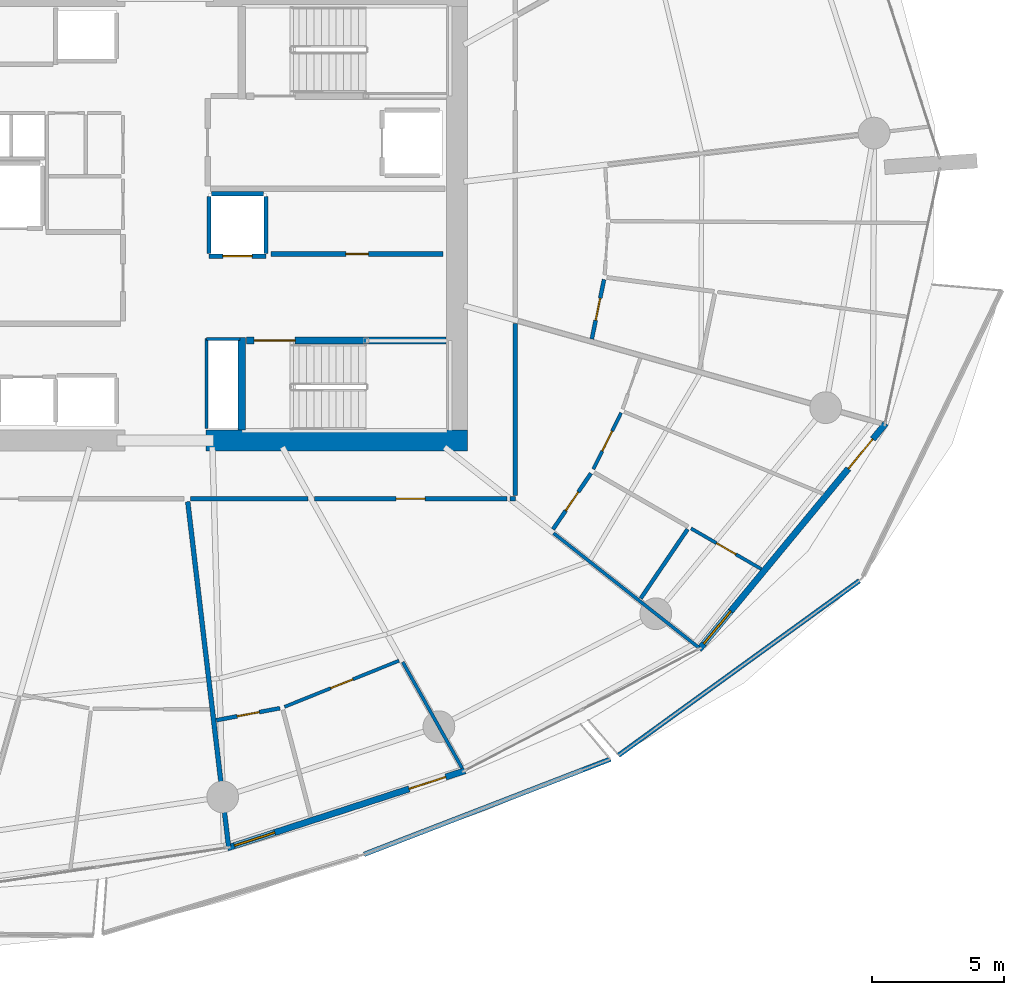
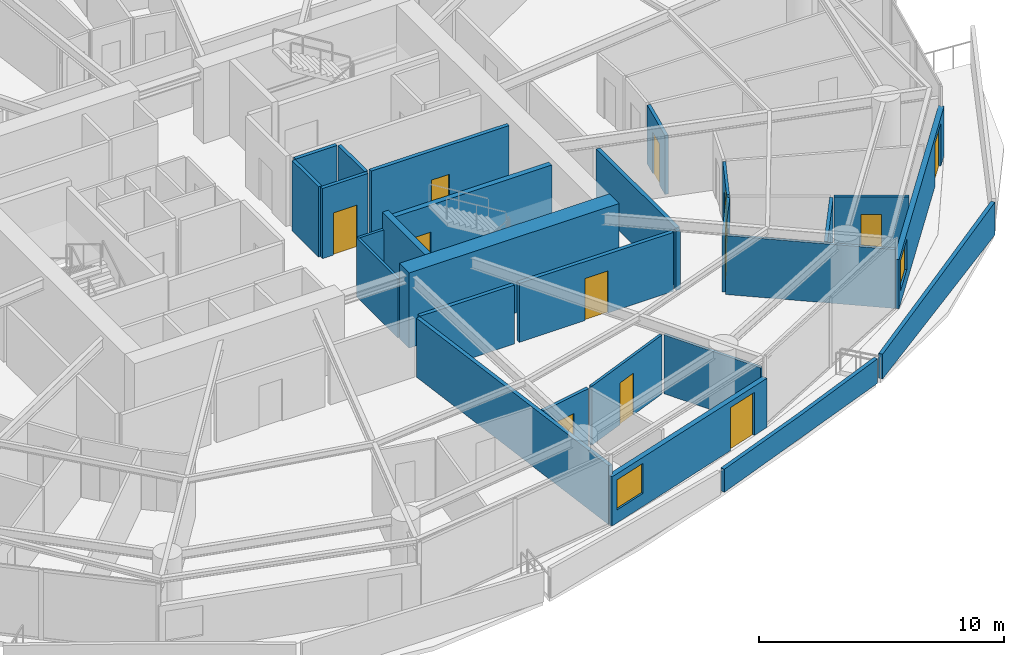
# One storey, part 13 of 23: 28 walls, 12 doors, 2 windows, 14 openings.
"""IFC4 building model written with IfcOpenShell, lengths in metres."""

from ifc_helpers import new_model, si_unit, direction, frame, frame_2d, origin, place, context, subcontext, project, spatial, polyline, rectangle, outline, extrude, material, layer, layer_set, type_object, element, fill, save


model = new_model("IFC4")

# Units and contexts
model_context = context("Model", 3, precision=1e-05, world=origin(), true_north=direction((0.0, 1.0)))
body_context = subcontext(model_context, "Body", "Model", "MODEL_VIEW")
ifc_project = project(units=[si_unit("LENGTHUNIT", "METRE"), si_unit("AREAUNIT", "SQUARE_METRE"), si_unit("VOLUMEUNIT", "CUBIC_METRE"), si_unit("PLANEANGLEUNIT", "RADIAN"), si_unit("MASSUNIT", "GRAM", prefix="KILO")], contexts=[model_context])

# Site, building, storey
site_placement = place(None, origin())
site = spatial("IfcSite", under=ifc_project, at=site_placement, CompositionType="ELEMENT")
building_placement = place(site_placement, origin())
building = spatial("IfcBuilding", under=site, at=building_placement, Name="Kazma Halo Residences", CompositionType="ELEMENT")
storey_placement = place(building_placement, frame((0.0, 0.0, 86.39990234375)))
storey = spatial("IfcBuildingStorey", under=building, at=storey_placement, Name="L21", CompositionType="ELEMENT", Elevation=86.39990234375)

# Walls
ifc_material_1 = material(Name="White Concrete C50/60 Balustrade", Category="concrete")
ifc_layer_1 = layer(ifc_material_1, 0.179931640625)
ifc_layer_set_1 = layer_set([ifc_layer_1], Name="White Concrete C50/60 Balustrade")
wall_type_1 = type_object("IfcWallType", Name="WL-BAL-WAVE-180", PredefinedType="PARAPET", material=ifc_layer_set_1)
wall_1_placement = place(storey_placement, frame((55.936767578125, 17.960693359375, 0.0), z_axis=(0.0, 0.0, 1.0), x_axis=(0.93269770772, 0.360659099446, 0.0)))
element("IfcWall", 1, at=wall_1_placement, inside=storey, type_object=wall_type_1, Name="L21 white wave balustrade wall SSE.2", PredefinedType="PARAPET", context=body_context, shape_type="SweptSolid", body=[
    extrude(outline(polyline([(0.0, 0.0), (9.97802734375, 0.0), (9.977783203125, 1.22412109375), (4.989013671875, 1.127197265625), (0.0, 1.148193359375), (0.0, 0.0)])), frame((0.0, 0.08984375, 0.0), z_axis=(0.0, -1.0, 0.0), x_axis=(1.0, 0.0, 0.0)), (0.0, 0.0, 1.0), 0.179931640625),
])
wall_2_placement = place(storey_placement, frame((65.5498046875, 21.704345703125, 0.0), z_axis=(0.0, 0.0, 1.0), x_axis=(0.809764200103, 0.58675543477, 0.0)))
element("IfcWall", 2, at=wall_2_placement, inside=storey, type_object=wall_type_1, Name="L21 white wave balustrade wall SE.1", PredefinedType="PARAPET", context=body_context, shape_type="SweptSolid", body=[
    extrude(outline(polyline([(0.0, 0.0), (11.240966796875, 0.0), (11.2412109375, 1.632080078125), (5.62060546875, 1.418212890625), (0.0, 1.233154296875), (0.0, 0.0)])), frame((0.0, 0.08984375, 0.0), z_axis=(0.0, -1.0, 0.0), x_axis=(1.0, 0.0, 0.0)), (0.0, 0.0, 1.0), 0.179931640625),
])
ifc_material_2 = material(Name="Concrete C80/95", Category="concrete")
ifc_layer_2 = layer(ifc_material_2, 0.800048828125)
ifc_layer_set_2 = layer_set([ifc_layer_2], Name="Concrete C80/95")
wall_type_2 = type_object("IfcWallType", Name="WL-CORE-800", PredefinedType="SHEAR", material=ifc_layer_set_2)
wall_3_placement = place(storey_placement, frame((49.949951171875, 33.60009765625, 0.0), z_axis=(0.0, 0.0, 1.0), x_axis=(1.0, 0.0, 0.0)))
element("IfcWall", 3, at=wall_3_placement, inside=storey, type_object=wall_type_2, Name="L21 central core shear wall SE", PredefinedType="SHEAR", context=body_context, shape_type="SweptSolid", body=[
    extrude(rectangle(XDim=9.900146484375, YDim=0.800048828125, at=frame_2d((4.9501953125, 0.0))), origin(), (0.0, 0.0, 1.0), 3.75),
])
ifc_material_3 = material(Name="Concrete C60/75", Category="concrete")
ifc_layer_3 = layer(ifc_material_3, 0.280029296875)
ifc_layer_set_3 = layer_set([ifc_layer_3], Name="Concrete C60/75")
wall_type_3 = type_object("IfcWallType", Name="WL-CORE-ST-280", PredefinedType="SHEAR", material=ifc_layer_set_3)
wall_4_placement = place(storey_placement, frame((51.31005859375, 34.0, 0.0), z_axis=(0.0, 0.0, 1.0), x_axis=(0.0, 1.0, 0.0)))
element("IfcWall", 4, at=wall_4_placement, inside=storey, type_object=wall_type_3, Name="L21 stairwell bearing wall ST03-W", PredefinedType="SHEAR", context=body_context, shape_type="SweptSolid", body=[
    extrude(rectangle(XDim=3.5, YDim=0.280029296875, at=frame_2d((1.75, 0.0))), origin(), (0.0, 0.0, 1.0), 3.75),
])
ifc_material_4 = material(Name="Acoustic Twin-Stud Gypsum")
ifc_layer_4 = layer(ifc_material_4, 0.179931640625)
ifc_layer_set_4 = layer_set([ifc_layer_4], Name="Acoustic Twin-Stud Gypsum")
wall_type_4 = type_object("IfcWallType", Name="WL-DEM-180", PredefinedType="PARTITIONING", material=ifc_layer_set_4)
wall_5_placement = place(storey_placement, frame((49.267578125, 31.290771484375, 0.0), z_axis=(0.0, 0.0, 1.0), x_axis=(0.117532311618, -0.993069058891, 0.0)))
element("IfcWall", 5, at=wall_5_placement, inside=storey, type_object=wall_type_4, Name="L21 apartment demising radial wall 11", PredefinedType="PARTITIONING", context=body_context, shape_type="SweptSolid", body=[
    extrude(rectangle(XDim=13.138427734375, YDim=0.179931640625, at=frame_2d((6.5693359375, 0.0))), origin(), (0.0, 0.0, 1.0), 2.940185546875),
])

# Wall, opening, door
wall_6_placement = place(storey_placement, frame((54.056396484375, 31.39990234375, 0.0), z_axis=(0.0, 0.0, 1.0), x_axis=(1.0, 0.0, 0.0)))
wall_6 = element("IfcWall", 6, at=wall_6_placement, inside=storey, type_object=wall_type_4, Name="L21 Apartment 3 entrance corridor wall", PredefinedType="PARTITIONING", context=body_context, shape_type="SweptSolid", body=[
    extrude(rectangle(XDim=7.26953125, YDim=0.179931640625, at=frame_2d((3.634765625, 0.0))), origin(), (0.0, 0.0, 1.0), 2.940185546875),
])
opening_1_placement = place(wall_6_placement, frame((3.0849609375, 0.0, 0.0)))
opening_1 = element("IfcOpeningElement", 7, at=opening_1_placement, cuts=wall_6, Name="Opening DA-1100", PredefinedType="OPENING", context=body_context, shape_type="SweptSolid", body=[
    extrude(rectangle(XDim=1.10009765625, YDim=2.10009765625, at=frame_2d((0.550048828125, 1.050048828125))), frame((0.0, 0.099853515625, 0.0), z_axis=(0.0, -1.0, 0.0), x_axis=(1.0, 0.0, 0.0)), (0.0, 0.0, 1.0), 0.199951171875),
])
ifc_material_5 = material(Name="Acoustic Walnut Fire Leaf")
door_type_1 = type_object("IfcDoorType", Name="DR-FD60-1100", OperationType="NOTDEFINED", PredefinedType="DOOR", material=ifc_material_5)
door_1_placement = place(opening_1_placement, origin())
door_1 = element("IfcDoor", 8, at=door_1_placement, inside=storey, type_object=door_type_1, Name="L21 Apartment 3 entrance fire door", OperationType="SINGLE_SWING_LEFT", OverallHeight=2.10009765625, OverallWidth=1.10009765625, PredefinedType="DOOR", context=body_context, shape_type="SweptSolid", body=[
    extrude(rectangle(XDim=1.10009765625, YDim=2.10009765625, at=frame_2d((0.550048828125, 1.050048828125))), frame((0.0, 0.02490234375, 0.0), z_axis=(0.0, -1.0, 0.0), x_axis=(1.0, 0.0, 0.0)), (0.0, 0.0, 1.0), 0.050048828125),
])
fill(opening_1, door_1)

# Walls
wall_7_placement = place(storey_placement, frame((49.37451171875, 31.39990234375, 0.0), z_axis=(0.0, 0.0, 1.0), x_axis=(1.0, 0.0, 0.0)))
element("IfcWall", 9, at=wall_7_placement, inside=storey, type_object=wall_type_4, Name="L21 Apartment 3 inner wall 11", PredefinedType="PARTITIONING", context=body_context, shape_type="SweptSolid", body=[
    extrude(rectangle(XDim=4.44189453125, YDim=0.179931640625, at=frame_2d((2.220947265625, 0.0))), origin(), (0.0, 0.0, 1.0), 2.940185546875),
])
wall_8_placement = place(storey_placement, frame((61.446044921875, 31.39990234375, 0.0), z_axis=(0.0, 0.0, 1.0), x_axis=(1.0, 0.0, 0.0)))
element("IfcWall", 10, at=wall_8_placement, inside=storey, type_object=wall_type_4, Name="L21 Apartment 3 inner wall 13", PredefinedType="PARTITIONING", context=body_context, shape_type="SweptSolid", body=[
    extrude(rectangle(XDim=0.203857421875, YDim=0.179931640625, at=frame_2d((0.10205078125, 0.0))), origin(), (0.0, 0.0, 1.0), 2.940185546875),
])
wall_9_placement = place(storey_placement, frame((61.64990234375, 31.52001953125, 0.0), z_axis=(0.0, 0.0, 1.0), x_axis=(0.0, 1.0, 0.0)))
element("IfcWall", 11, at=wall_9_placement, inside=storey, type_object=wall_type_4, Name="L21 Apartment 3 inner wall 13", PredefinedType="PARTITIONING", context=body_context, shape_type="SweptSolid", body=[
    extrude(rectangle(XDim=6.51025390625, YDim=0.179931640625, at=frame_2d((3.255126953125, 0.0))), origin(), (0.0, 0.0, 1.0), 2.940185546875),
])

# Wall, openings, door, window
ifc_material_6 = material(Name="Insulated Pale-Metal Composite Wall")
ifc_layer_5 = layer(ifc_material_6, 0.239990234375)
ifc_layer_set_5 = layer_set([ifc_layer_5], Name="Insulated Pale-Metal Composite Wall")
wall_type_5 = type_object("IfcWallType", Name="WL-EXT-HOST-240", PredefinedType="SOLIDWALL", material=ifc_layer_set_5)
wall_10_placement = place(storey_placement, frame((50.76708984375, 18.202880859375, 0.0), z_axis=(0.0, 0.0, 1.0), x_axis=(0.951052494852, 0.30902937083, 0.0)))
wall_10 = element("IfcWall", 12, at=wall_10_placement, inside=storey, type_object=wall_type_5, Name="L21 exterior terrace-access wall B12", PredefinedType="SOLIDWALL", context=body_context, shape_type="SweptSolid", body=[
    extrude(rectangle(XDim=9.44384765625, YDim=0.239990234375, at=frame_2d((4.721923828125, 0.0))), origin(), (0.0, 0.0, 1.0), 2.4501953125),
])
opening_2_placement = place(wall_10_placement, frame((7.223876953125, 0.0, 0.0)))
opening_2 = element("IfcOpeningElement", 13, at=opening_2_placement, cuts=wall_10, Name="Opening DTR-1600", PredefinedType="OPENING", context=body_context, shape_type="SweptSolid", body=[
    extrude(rectangle(XDim=1.449951171875, YDim=2.14990234375, at=frame_2d((0.72509765625, 1.074951171875))), frame((0.0, 0.1298828125, 0.0), z_axis=(0.0, -1.0, 0.0), x_axis=(1.0, 0.0, 0.0)), (0.0, 0.0, 1.0), 0.260009765625),
])
opening_3_placement = place(wall_10_placement, frame((0.280029296875, 0.0, 0.64990234375)))
opening_3 = element("IfcOpeningElement", 14, at=opening_3_placement, cuts=wall_10, Name="Opening W-1800", PredefinedType="OPENING", context=body_context, shape_type="SweptSolid", body=[
    extrude(rectangle(XDim=1.60009765625, YDim=1.5, at=frame_2d((0.800048828125, 0.75))), frame((0.0, 0.1298828125, 0.0), z_axis=(0.0, -1.0, 0.0), x_axis=(1.0, 0.0, 0.0)), (0.0, 0.0, 1.0), 0.260009765625),
])
ifc_material_7 = material(Name="Aluminium AW-6063 T6 Double-Glazed Terrace Door", Category="aluminium")
door_type_2 = type_object("IfcDoorType", Name="DR-EXT-TERR-1600", OperationType="NOTDEFINED", PredefinedType="DOOR", material=ifc_material_7)
door_2_placement = place(opening_2_placement, origin())
door_2 = element("IfcDoor", 15, at=door_2_placement, inside=storey, type_object=door_type_2, Name="L21 B12 balcony terrace door", OperationType="DOUBLE_DOOR_SLIDING", OverallHeight=2.14990234375, OverallWidth=1.449951171875, PredefinedType="DOOR", context=body_context, shape_type="SweptSolid", body=[
    extrude(rectangle(XDim=1.449951171875, YDim=2.14990234375, at=frame_2d((0.72509765625, 1.074951171875))), frame((0.0, 0.02490234375, 0.0), z_axis=(0.0, -1.0, 0.0), x_axis=(1.0, 0.0, 0.0)), (0.0, 0.0, 1.0), 0.050048828125),
])
fill(opening_2, door_2)
ifc_material_8 = material(Name="Clear Triple-Silver Low-E Glass in Aluminium AW-6063 T6 Frame", Category="aluminium")
window_type = type_object("IfcWindowType", Name="WIN-RES-1800", PartitioningType="DOUBLE_PANEL_VERTICAL", PredefinedType="WINDOW", material=ifc_material_8)
window_1_placement = place(opening_3_placement, origin())
window_1 = element("IfcWindow", 16, at=window_1_placement, inside=storey, type_object=window_type, Name="L21 B12 apartment window", OverallHeight=1.5, OverallWidth=1.60009765625, PartitioningType="SINGLE_PANEL", PredefinedType="WINDOW", context=body_context, shape_type="SweptSolid", body=[
    extrude(rectangle(XDim=1.60009765625, YDim=1.5, at=frame_2d((0.800048828125, 0.75))), frame((0.0, 0.030029296875, 0.0), z_axis=(0.0, -1.0, 0.0), x_axis=(1.0, 0.0, 0.0)), (0.0, 0.0, 1.0), 0.06005859375),
])
fill(opening_3, window_1)

wall_11_placement = place(storey_placement, frame((68.593017578125, 25.7021484375, 0.0), z_axis=(0.0, 0.0, 1.0), x_axis=(0.636704975, 0.771107498868, 0.0)))
wall_11 = element("IfcWall", 17, at=wall_11_placement, inside=storey, type_object=wall_type_5, Name="L21 exterior terrace-access wall B14", PredefinedType="SOLIDWALL", context=body_context, shape_type="SweptSolid", body=[
    extrude(rectangle(XDim=11.084228515625, YDim=0.239990234375, at=frame_2d((5.5419921875, 0.0))), origin(), (0.0, 0.0, 1.0), 2.4501953125),
])
opening_4_placement = place(wall_11_placement, frame((8.8642578125, 0.0, 0.0)))
opening_4 = element("IfcOpeningElement", 18, at=opening_4_placement, cuts=wall_11, Name="Opening DTR-1600", PredefinedType="OPENING", context=body_context, shape_type="SweptSolid", body=[
    extrude(rectangle(XDim=1.449951171875, YDim=2.14990234375, at=frame_2d((0.72509765625, 1.074951171875))), frame((0.0, 0.1298828125, 0.0), z_axis=(0.0, -1.0, 0.0), x_axis=(1.0, 0.0, 0.0)), (0.0, 0.0, 1.0), 0.260009765625),
])
opening_5_placement = place(wall_11_placement, frame((0.280029296875, 0.0, 0.64990234375)))
opening_5 = element("IfcOpeningElement", 19, at=opening_5_placement, cuts=wall_11, Name="Opening W-1800", PredefinedType="OPENING", context=body_context, shape_type="SweptSolid", body=[
    extrude(rectangle(XDim=1.60009765625, YDim=1.5, at=frame_2d((0.800048828125, 0.75))), frame((0.0, 0.1298828125, 0.0), z_axis=(0.0, -1.0, 0.0), x_axis=(1.0, 0.0, 0.0)), (0.0, 0.0, 1.0), 0.260009765625),
])
door_3_placement = place(opening_4_placement, origin())
door_3 = element("IfcDoor", 20, at=door_3_placement, inside=storey, type_object=door_type_2, Name="L21 B14 balcony terrace door", OperationType="DOUBLE_DOOR_SLIDING", OverallHeight=2.14990234375, OverallWidth=1.449951171875, PredefinedType="DOOR", context=body_context, shape_type="SweptSolid", body=[
    extrude(rectangle(XDim=1.449951171875, YDim=2.14990234375, at=frame_2d((0.72509765625, 1.074951171875))), frame((0.0, 0.02490234375, 0.0), z_axis=(0.0, -1.0, 0.0), x_axis=(1.0, 0.0, 0.0)), (0.0, 0.0, 1.0), 0.050048828125),
])
fill(opening_4, door_3)
window_2_placement = place(opening_5_placement, origin())
window_2 = element("IfcWindow", 21, at=window_2_placement, inside=storey, type_object=window_type, Name="L21 B14 apartment window", OverallHeight=1.5, OverallWidth=1.60009765625, PartitioningType="SINGLE_PANEL", PredefinedType="WINDOW", context=body_context, shape_type="SweptSolid", body=[
    extrude(rectangle(XDim=1.60009765625, YDim=1.5, at=frame_2d((0.800048828125, 0.75))), frame((0.0, 0.030029296875, 0.0), z_axis=(0.0, -1.0, 0.0), x_axis=(1.0, 0.0, 0.0)), (0.0, 0.0, 1.0), 0.06005859375),
])
fill(opening_5, window_2)

# Wall, opening, door
ifc_material_9 = material(Name="Fire-Rated Blockwork Masonry", Category="masonry")
ifc_layer_6 = layer(ifc_material_9, 0.199951171875)
ifc_layer_set_6 = layer_set([ifc_layer_6], Name="Fire-Rated Blockwork Masonry")
wall_type_6 = type_object("IfcWallType", Name="WL-FLB-200", PredefinedType="PARTITIONING", material=ifc_layer_set_6)
wall_12_placement = place(storey_placement, frame((52.22998046875, 40.570068359375, 0.0), z_axis=(0.0, 0.0, 1.0), x_axis=(-1.0, 0.0, 0.0)))
wall_12 = element("IfcWall", 22, at=wall_12_placement, inside=storey, type_object=wall_type_6, Name="L21 lift shaft SV-01 front wall", PredefinedType="PARTITIONING", context=body_context, shape_type="SweptSolid", body=[
    extrude(rectangle(XDim=2.159912109375, YDim=0.159912109375, at=frame_2d((1.080078125, 0.0))), origin(), (0.0, 0.0, 1.0), 3.5),
])
opening_6_placement = place(wall_12_placement, frame((0.530029296875, 0.0, 0.0)))
opening_6 = element("IfcOpeningElement", 23, at=opening_6_placement, cuts=wall_12, Name="Opening LD-SV-01", PredefinedType="OPENING", context=body_context, shape_type="SweptSolid", body=[
    extrude(rectangle(XDim=1.10009765625, YDim=2.10009765625, at=frame_2d((0.550048828125, 1.050048828125))), frame((0.0, 0.08984375, 0.0), z_axis=(0.0, -1.0, 0.0), x_axis=(1.0, 0.0, 0.0)), (0.0, 0.0, 1.0), 0.179931640625),
])
ifc_material_10 = material(Name="Stainless Steel Fire-Rated", Category="steel")
door_type_3 = type_object("IfcDoorType", Name="DR-LIFT-SLD-1100", OperationType="DOUBLE_DOOR_SLIDING", PredefinedType="DOOR", material=ifc_material_10)
door_4_placement = place(opening_6_placement, origin())
door_4 = element("IfcDoor", 24, at=door_4_placement, inside=storey, type_object=door_type_3, Name="L21 lift SV-01 sliding landing door", OperationType="DOUBLE_DOOR_SLIDING", OverallHeight=2.10009765625, OverallWidth=1.10009765625, PredefinedType="DOOR", context=body_context, shape_type="SweptSolid", body=[
    extrude(rectangle(XDim=1.10009765625, YDim=2.10009765625, at=frame_2d((0.550048828125, 1.050048828125))), frame((0.0, 0.02490234375, 0.0), z_axis=(0.0, -1.0, 0.0), x_axis=(1.0, 0.0, 0.0)), (0.0, 0.0, 1.0), 0.050048828125),
])
fill(opening_6, door_4)

# Walls
for number, where, z_axis, x_axis, name in (
    (25, (52.22998046875, 40.669921875, 0.0), (0.0, 0.0, 1.0), (0.0, 1.0, 0.0), "L21 lift shaft SV-01 side wall E"),
    (26, (50.070068359375, 40.669921875, 0.0), (0.0, 0.0, 1.0), (0.0, 1.0, 0.0), "L21 lift shaft SV-01 side wall W"),
):
    element("IfcWall", number, at=place(storey_placement, frame(where, z_axis=z_axis, x_axis=x_axis)), inside=storey, type_object=wall_type_6, Name=name, PredefinedType="PARTITIONING", context=body_context, shape_type="SweptSolid", body=[
        extrude(rectangle(XDim=2.16015625, YDim=0.159912109375, at=frame_2d((1.080078125, 0.0))), origin(), (0.0, 0.0, 1.0), 3.5),
    ])
wall_13_placement = place(storey_placement, frame((50.169921875, 42.929931640625, 0.0), z_axis=(0.0, 0.0, 1.0), x_axis=(1.0, 0.0, 0.0)))
element("IfcWall", 27, at=wall_13_placement, inside=storey, type_object=wall_type_6, Name="L21 lift shaft SV-01 side wall N", PredefinedType="PARTITIONING", context=body_context, shape_type="SweptSolid", body=[
    extrude(rectangle(XDim=1.9599609375, YDim=0.159912109375, at=frame_2d((0.97998046875, 0.0))), origin(), (0.0, 0.0, 1.0), 3.5),
])

# Wall, opening, door
wall_14_placement = place(storey_placement, frame((52.419921875, 40.64990234375, 0.0), z_axis=(0.0, 0.0, 1.0), x_axis=(1.0, 0.0, 0.0)))
wall_14 = element("IfcWall", 28, at=wall_14_placement, inside=storey, type_object=wall_type_6, Name="L21 core east reserve wall", PredefinedType="PARTITIONING", context=body_context, shape_type="SweptSolid", body=[
    extrude(rectangle(XDim=6.5, YDim=0.179931640625, at=frame_2d((3.25, 0.0))), origin(), (0.0, 0.0, 1.0), 3.5),
])
opening_7_placement = place(wall_14_placement, frame((2.824951171875, 0.0, 0.0)))
opening_7 = element("IfcOpeningElement", 29, at=opening_7_placement, cuts=wall_14, Name="Opening DS-850", PredefinedType="OPENING", context=body_context, shape_type="SweptSolid", body=[
    extrude(rectangle(XDim=0.85009765625, YDim=2.06005859375, at=frame_2d((0.425048828125, 1.030029296875))), frame((0.0, 0.099853515625, 0.0), z_axis=(0.0, -1.0, 0.0), x_axis=(1.0, 0.0, 0.0)), (0.0, 0.0, 1.0), 0.199951171875),
])
ifc_material_11 = material(Name="Painted Steel Access Leaf", Category="steel")
door_type_4 = type_object("IfcDoorType", Name="DR-SVC-850", OperationType="NOTDEFINED", PredefinedType="DOOR", material=ifc_material_11)
door_5_placement = place(opening_7_placement, origin())
door_5 = element("IfcDoor", 30, at=door_5_placement, inside=storey, type_object=door_type_4, Name="L21 core east reserve door", OperationType="SINGLE_SWING_RIGHT", OverallHeight=2.06005859375, OverallWidth=0.85009765625, PredefinedType="DOOR", context=body_context, shape_type="SweptSolid", body=[
    extrude(rectangle(XDim=0.85009765625, YDim=2.06005859375, at=frame_2d((0.425048828125, 1.030029296875))), frame((0.0, 0.02490234375, 0.0), z_axis=(0.0, -1.0, 0.0), x_axis=(1.0, 0.0, 0.0)), (0.0, 0.0, 1.0), 0.050048828125),
])
fill(opening_7, door_5)

# Walls
ifc_material_12 = material(Name="Gypsum Plasterboard Partition")
ifc_layer_7 = layer(ifc_material_12, 0.125)
ifc_layer_set_7 = layer_set([ifc_layer_7], Name="Gypsum Plasterboard Partition")
wall_type_7 = type_object("IfcWallType", Name="WL-PART-125", PredefinedType="PARTITIONING", material=ifc_layer_set_7)
wall_15_placement = place(storey_placement, frame((49.97998046875, 34.06005859375, 0.0), z_axis=(0.0, 0.0, 1.0), x_axis=(0.0, 1.0, 0.0)))
element("IfcWall", 31, at=wall_15_placement, inside=storey, type_object=wall_type_7, Name="L21 standpipe riser wall", PredefinedType="PARTITIONING", context=body_context, shape_type="SweptSolid", body=[
    extrude(rectangle(XDim=3.39990234375, YDim=0.125, at=frame_2d((1.699951171875, 0.0))), origin(), (0.0, 0.0, 1.0), 2.940185546875),
])
wall_16_placement = place(storey_placement, frame((49.97998046875, 37.43994140625, 0.0), z_axis=(0.0, 0.0, 1.0), x_axis=(1.0, 0.0, 0.0)))
element("IfcWall", 32, at=wall_16_placement, inside=storey, type_object=wall_type_7, Name="L21 standpipe riser north wall", PredefinedType="PARTITIONING", context=body_context, shape_type="SweptSolid", body=[
    extrude(rectangle(XDim=1.260009765625, YDim=0.125, at=frame_2d((0.6298828125, 0.0))), origin(), (0.0, 0.0, 1.0), 2.940185546875),
])
wall_17_placement = place(storey_placement, frame((57.392333984375, 25.22900390625, 0.0), z_axis=(0.0, 0.0, 1.0), x_axis=(0.488604984913, -0.872505110998, 0.0)))
element("IfcWall", 33, at=wall_17_placement, inside=storey, type_object=wall_type_7, Name="L21 Apartment 3 living radial partition 11", PredefinedType="PARTITIONING", context=body_context, shape_type="SweptSolid", body=[
    extrude(rectangle(XDim=4.600341796875, YDim=0.125, at=frame_2d((2.30029296875, 0.0))), origin(), (0.0, 0.0, 1.0), 2.940185546875),
])

# Wall, opening, door
wall_18_placement = place(storey_placement, frame((52.92626953125, 23.53515625, 0.0), z_axis=(0.0, 0.0, 1.0), x_axis=(0.927447622914, 0.373953080949, 0.0)))
wall_18 = element("IfcWall", 34, at=wall_18_placement, inside=storey, type_object=wall_type_7, Name="L21 Apartment 3 Gourmet Kitchen hall wall", PredefinedType="PARTITIONING", context=body_context, shape_type="SweptSolid", body=[
    extrude(rectangle(XDim=4.662841796875, YDim=0.125, at=frame_2d((2.33154296875, 0.0))), origin(), (0.0, 0.0, 1.0), 2.940185546875),
])
opening_8_placement = place(wall_18_placement, frame((1.88134765625, 0.0, 0.0)))
opening_8 = element("IfcOpeningElement", 35, at=opening_8_placement, cuts=wall_18, Name="Opening DI-950", PredefinedType="OPENING", context=body_context, shape_type="SweptSolid", body=[
    extrude(rectangle(XDim=0.89990234375, YDim=2.080078125, at=frame_2d((0.449951171875, 1.0400390625))), frame((0.0, 0.072509765625, 0.0), z_axis=(0.0, -1.0, 0.0), x_axis=(1.0, 0.0, 0.0)), (0.0, 0.0, 1.0), 0.14501953125),
])
ifc_material_13 = material(Name="Timber Veneer Flush Leaf", Category="wood")
door_type_5 = type_object("IfcDoorType", Name="DR-INT-950", OperationType="NOTDEFINED", PredefinedType="DOOR", material=ifc_material_13)
door_6_placement = place(opening_8_placement, origin())
door_6 = element("IfcDoor", 36, at=door_6_placement, inside=storey, type_object=door_type_5, Name="L21 Apartment 3 Gourmet Kitchen door", OperationType="SINGLE_SWING_LEFT", OverallHeight=2.080078125, OverallWidth=0.89990234375, PredefinedType="DOOR", context=body_context, shape_type="SweptSolid", body=[
    extrude(rectangle(XDim=0.89990234375, YDim=2.080078125, at=frame_2d((0.449951171875, 1.0400390625))), frame((0.0, 0.02490234375, 0.0), z_axis=(0.0, -1.0, 0.0), x_axis=(1.0, 0.0, 0.0)), (0.0, 0.0, 1.0), 0.050048828125),
])
fill(opening_8, door_6)

# Wall
wall_19_placement = place(storey_placement, frame((63.09521484375, 30.099853515625, 0.0), z_axis=(0.0, 0.0, 1.0), x_axis=(0.78530300145, -0.6191116183, 0.0)))
element("IfcWall", 37, at=wall_19_placement, inside=storey, type_object=wall_type_7, Name="L21 Apartment 3 radial partition 13", PredefinedType="PARTITIONING", context=body_context, shape_type="SweptSolid", body=[
    extrude(rectangle(XDim=7.01611328125, YDim=0.125, at=frame_2d((3.508056640625, 0.0))), origin(), (0.0, 0.0, 1.0), 2.940185546875),
])

# Wall, opening, door
wall_20_placement = place(storey_placement, frame((68.28955078125, 30.27880859375, 0.0), z_axis=(0.0, 0.0, 1.0), x_axis=(0.865901850726, -0.50021393914, 0.0)))
wall_20 = element("IfcWall", 38, at=wall_20_placement, inside=storey, type_object=wall_type_7, Name="L21 Apartment 3 West Walk-In Wardrobe partition wall", PredefinedType="PARTITIONING", context=body_context, shape_type="SweptSolid", body=[
    extrude(rectangle(XDim=3.067138671875, YDim=0.125, at=frame_2d((1.53369140625, 0.0))), origin(), (0.0, 0.0, 1.0), 2.940185546875),
])
opening_9_placement = place(wall_20_placement, frame((1.1083984375, 0.0, 0.0)))
opening_9 = element("IfcOpeningElement", 39, at=opening_9_placement, cuts=wall_20, Name="Opening DB-900", PredefinedType="OPENING", context=body_context, shape_type="SweptSolid", body=[
    extrude(rectangle(XDim=0.85009765625, YDim=2.06005859375, at=frame_2d((0.425048828125, 1.030029296875))), frame((0.0, 0.072509765625, 0.0), z_axis=(0.0, -1.0, 0.0), x_axis=(1.0, 0.0, 0.0)), (0.0, 0.0, 1.0), 0.14501953125),
])
ifc_material_14 = material(Name="Moisture-Sealed Timber Leaf", Category="wood")
door_type_6 = type_object("IfcDoorType", Name="DR-BTH-900", OperationType="NOTDEFINED", PredefinedType="DOOR", material=ifc_material_14)
door_7_placement = place(opening_9_placement, origin())
door_7 = element("IfcDoor", 40, at=door_7_placement, inside=storey, type_object=door_type_6, Name="L21 Apartment 3 West Walk-In Wardrobe door", OperationType="SINGLE_SWING_RIGHT", OverallHeight=2.06005859375, OverallWidth=0.85009765625, PredefinedType="DOOR", context=body_context, shape_type="SweptSolid", body=[
    extrude(rectangle(XDim=0.85009765625, YDim=2.06005859375, at=frame_2d((0.425048828125, 1.030029296875))), frame((0.0, 0.02490234375, 0.0), z_axis=(0.0, -1.0, 0.0), x_axis=(1.0, 0.0, 0.0)), (0.0, 0.0, 1.0), 0.050048828125),
])
fill(opening_9, door_7)

wall_21_placement = place(storey_placement, frame((64.597412109375, 32.515380859375, 0.0), z_axis=(0.0, 0.0, 1.0), x_axis=(0.441489261257, 0.897266533531, 0.0)))
wall_21 = element("IfcWall", 41, at=wall_21_placement, inside=storey, type_object=wall_type_7, Name="L21 Apartment 3 North Private Study hall wall", PredefinedType="PARTITIONING", context=body_context, shape_type="SweptSolid", body=[
    extrude(rectangle(XDim=2.375, YDim=0.125, at=frame_2d((1.1875, 0.0))), origin(), (0.0, 0.0, 1.0), 2.940185546875),
])
opening_10_placement = place(wall_21_placement, frame((0.762451171875, 0.0, 0.0)))
opening_10 = element("IfcOpeningElement", 42, at=opening_10_placement, cuts=wall_21, Name="Opening DB-900", PredefinedType="OPENING", context=body_context, shape_type="SweptSolid", body=[
    extrude(rectangle(XDim=0.85009765625, YDim=2.06005859375, at=frame_2d((0.425048828125, 1.030029296875))), frame((0.0, 0.072509765625, 0.0), z_axis=(0.0, -1.0, 0.0), x_axis=(1.0, 0.0, 0.0)), (0.0, 0.0, 1.0), 0.14501953125),
])
door_8_placement = place(opening_10_placement, origin())
door_8 = element("IfcDoor", 43, at=door_8_placement, inside=storey, type_object=door_type_6, Name="L21 Apartment 3 North Private Study door", OperationType="SINGLE_SWING_LEFT", OverallHeight=2.06005859375, OverallWidth=0.85009765625, PredefinedType="DOOR", context=body_context, shape_type="SweptSolid", body=[
    extrude(rectangle(XDim=0.85009765625, YDim=2.06005859375, at=frame_2d((0.425048828125, 1.030029296875))), frame((0.0, 0.02490234375, 0.0), z_axis=(0.0, -1.0, 0.0), x_axis=(1.0, 0.0, 0.0)), (0.0, 0.0, 1.0), 0.050048828125),
])
fill(opening_10, door_8)

ifc_material_15 = material(Name="Concrete C50/60", Category="concrete")
ifc_layer_8 = layer(ifc_material_15, 0.25)
ifc_layer_set_8 = layer_set([ifc_layer_8], Name="Concrete C50/60")
wall_type_8 = type_object("IfcWallType", Name="WL-SHF-250", PredefinedType="SOLIDWALL", material=ifc_layer_set_8)
wall_22_placement = place(storey_placement, frame((51.47998046875, 37.3798828125, 0.0), z_axis=(0.0, 0.0, 1.0), x_axis=(1.0, 0.0, 0.0)))
wall_22 = element("IfcWall", 44, at=wall_22_placement, inside=storey, type_object=wall_type_8, Name="L21 exit stair ST-03 enclosure wall", PredefinedType="SOLIDWALL", context=body_context, shape_type="SweptSolid", body=[
    extrude(rectangle(XDim=7.5400390625, YDim=0.25, at=frame_2d((3.77001953125, 0.0))), origin(), (0.0, 0.0, 1.0), 3.5),
])
opening_11_placement = place(wall_22_placement, frame((0.300048828125, 0.0, 0.0)))
opening_11 = element("IfcOpeningElement", 45, at=opening_11_placement, cuts=wall_22, Name="Opening D-ST3", PredefinedType="OPENING", context=body_context, shape_type="SweptSolid", body=[
    extrude(rectangle(XDim=1.550048828125, YDim=2.14990234375, at=frame_2d((0.77490234375, 1.074951171875))), frame((0.0, 0.135009765625, 0.0), z_axis=(0.0, -1.0, 0.0), x_axis=(1.0, 0.0, 0.0)), (0.0, 0.0, 1.0), 0.27001953125),
])
ifc_material_16 = material(Name="Fire-Rated Double Steel Leaf", Category="steel")
door_type_7 = type_object("IfcDoorType", Name="DR-FD90-1550", OperationType="NOTDEFINED", PredefinedType="DOOR", material=ifc_material_16)
door_9_placement = place(opening_11_placement, origin())
door_9 = element("IfcDoor", 46, at=door_9_placement, inside=storey, type_object=door_type_7, Name="L21 exit stair ST-03 fire door", OperationType="DOUBLE_DOOR_SINGLE_SWING", OverallHeight=2.14990234375, OverallWidth=1.550048828125, PredefinedType="DOOR", context=body_context, shape_type="SweptSolid", body=[
    extrude(rectangle(XDim=1.550048828125, YDim=2.14990234375, at=frame_2d((0.77490234375, 1.074951171875))), frame((0.0, 0.02490234375, 0.0), z_axis=(0.0, -1.0, 0.0), x_axis=(1.0, 0.0, 0.0)), (0.0, 0.0, 1.0), 0.050048828125),
])
fill(opening_11, door_9)

ifc_material_17 = material(Name="Moisture-Resistant Gypsum")
ifc_layer_9 = layer(ifc_material_17, 0.14990234375)
ifc_layer_set_9 = layer_set([ifc_layer_9], Name="Moisture-Resistant Gypsum")
wall_type_9 = type_object("IfcWallType", Name="WL-WET-150", PredefinedType="PARTITIONING", material=ifc_layer_set_9)
wall_23_placement = place(storey_placement, frame((50.345947265625, 23.029052734375, 0.0), z_axis=(0.0, 0.0, 1.0), x_axis=(0.982576637083, 0.185857881885, 0.0)))
wall_23 = element("IfcWall", 47, at=wall_23_placement, inside=storey, type_object=wall_type_9, Name="L21 Apartment 3 Guest Bathroom hall wall", PredefinedType="PARTITIONING", context=body_context, shape_type="SweptSolid", body=[
    extrude(rectangle(XDim=2.451171875, YDim=0.14990234375, at=frame_2d((1.2255859375, 0.0))), origin(), (0.0, 0.0, 1.0), 2.940185546875),
])
opening_12_placement = place(wall_23_placement, frame((0.800537109375, 0.0, 0.0)))
opening_12 = element("IfcOpeningElement", 48, at=opening_12_placement, cuts=wall_23, Name="Opening DB-900", PredefinedType="OPENING", context=body_context, shape_type="SweptSolid", body=[
    extrude(rectangle(XDim=0.85009765625, YDim=2.06005859375, at=frame_2d((0.425048828125, 1.030029296875))), frame((0.0, 0.0849609375, 0.0), z_axis=(0.0, -1.0, 0.0), x_axis=(1.0, 0.0, 0.0)), (0.0, 0.0, 1.0), 0.169921875),
])
door_10_placement = place(opening_12_placement, origin())
door_10 = element("IfcDoor", 49, at=door_10_placement, inside=storey, type_object=door_type_6, Name="L21 Apartment 3 Guest Bathroom door", OperationType="SINGLE_SWING_LEFT", OverallHeight=2.06005859375, OverallWidth=0.85009765625, PredefinedType="DOOR", context=body_context, shape_type="SweptSolid", body=[
    extrude(rectangle(XDim=0.85009765625, YDim=2.06005859375, at=frame_2d((0.425048828125, 1.030029296875))), frame((0.0, 0.02490234375, 0.0), z_axis=(0.0, -1.0, 0.0), x_axis=(1.0, 0.0, 0.0)), (0.0, 0.0, 1.0), 0.050048828125),
])
fill(opening_12, door_10)

wall_24_placement = place(storey_placement, frame((63.072998046875, 30.244384765625, 0.0), z_axis=(0.0, 0.0, 1.0), x_axis=(0.561076223922, 0.827764139685, 0.0)))
wall_24 = element("IfcWall", 50, at=wall_24_placement, inside=storey, type_object=wall_type_9, Name="L21 Apartment 3 East En-Suite Bathroom hall wall", PredefinedType="PARTITIONING", context=body_context, shape_type="SweptSolid", body=[
    extrude(rectangle(XDim=2.555908203125, YDim=0.14990234375, at=frame_2d((1.27783203125, 0.0))), origin(), (0.0, 0.0, 1.0), 2.940185546875),
])
opening_13_placement = place(wall_24_placement, frame((0.85302734375, 0.0, 0.0)))
opening_13 = element("IfcOpeningElement", 51, at=opening_13_placement, cuts=wall_24, Name="Opening DB-900", PredefinedType="OPENING", context=body_context, shape_type="SweptSolid", body=[
    extrude(rectangle(XDim=0.85009765625, YDim=2.06005859375, at=frame_2d((0.425048828125, 1.030029296875))), frame((0.0, 0.0849609375, 0.0), z_axis=(0.0, -1.0, 0.0), x_axis=(1.0, 0.0, 0.0)), (0.0, 0.0, 1.0), 0.169921875),
])
door_11_placement = place(opening_13_placement, origin())
door_11 = element("IfcDoor", 52, at=door_11_placement, inside=storey, type_object=door_type_6, Name="L21 Apartment 3 East En-Suite Bathroom door", OperationType="SINGLE_SWING_LEFT", OverallHeight=2.06005859375, OverallWidth=0.85009765625, PredefinedType="DOOR", context=body_context, shape_type="SweptSolid", body=[
    extrude(rectangle(XDim=0.85009765625, YDim=2.06005859375, at=frame_2d((0.425048828125, 1.030029296875))), frame((0.0, 0.02490234375, 0.0), z_axis=(0.0, -1.0, 0.0), x_axis=(1.0, 0.0, 0.0)), (0.0, 0.0, 1.0), 0.050048828125),
])
fill(opening_13, door_11)

# Wall
wall_25_placement = place(storey_placement, frame((66.386962890625, 27.6318359375, 0.0), z_axis=(0.0, 0.0, 1.0), x_axis=(0.561080301856, 0.82776137556, 0.0)))
element("IfcWall", 53, at=wall_25_placement, inside=storey, type_object=wall_type_9, Name="L21 Apartment 3 East En-Suite Bathroom back wall", PredefinedType="PARTITIONING", context=body_context, shape_type="SweptSolid", body=[
    extrude(rectangle(XDim=3.162109375, YDim=0.14990234375, at=frame_2d((1.5810546875, 0.0))), origin(), (0.0, 0.0, 1.0), 2.940185546875),
])

# Wall, opening, door
wall_26_placement = place(storey_placement, frame((64.54052734375, 37.438720703125, 0.0), z_axis=(0.0, 0.0, 1.0), x_axis=(0.201145672032, 0.979561339898, 0.0)))
wall_26 = element("IfcWall", 54, at=wall_26_placement, inside=storey, type_object=wall_type_9, Name="L21 Apartment 4 Guest Bathroom hall wall", PredefinedType="PARTITIONING", context=body_context, shape_type="SweptSolid", body=[
    extrude(rectangle(XDim=2.295166015625, YDim=0.14990234375, at=frame_2d((1.1474609375, 0.0))), origin(), (0.0, 0.0, 1.0), 2.940185546875),
])
opening_14_placement = place(wall_26_placement, frame((0.722412109375, 0.0, 0.0)))
opening_14 = element("IfcOpeningElement", 55, at=opening_14_placement, cuts=wall_26, Name="Opening DB-900", PredefinedType="OPENING", context=body_context, shape_type="SweptSolid", body=[
    extrude(rectangle(XDim=0.85009765625, YDim=2.06005859375, at=frame_2d((0.425048828125, 1.030029296875))), frame((0.0, 0.0849609375, 0.0), z_axis=(0.0, -1.0, 0.0), x_axis=(1.0, 0.0, 0.0)), (0.0, 0.0, 1.0), 0.169921875),
])
door_12_placement = place(opening_14_placement, origin())
door_12 = element("IfcDoor", 56, at=door_12_placement, inside=storey, type_object=door_type_6, Name="L21 Apartment 4 Guest Bathroom door", OperationType="SINGLE_SWING_RIGHT", OverallHeight=2.06005859375, OverallWidth=0.85009765625, PredefinedType="DOOR", context=body_context, shape_type="SweptSolid", body=[
    extrude(rectangle(XDim=0.85009765625, YDim=2.06005859375, at=frame_2d((0.425048828125, 1.030029296875))), frame((0.0, 0.02490234375, 0.0), z_axis=(0.0, -1.0, 0.0), x_axis=(1.0, 0.0, 0.0)), (0.0, 0.0, 1.0), 0.050048828125),
])
fill(opening_14, door_12)

save(model, "model.ifc")
